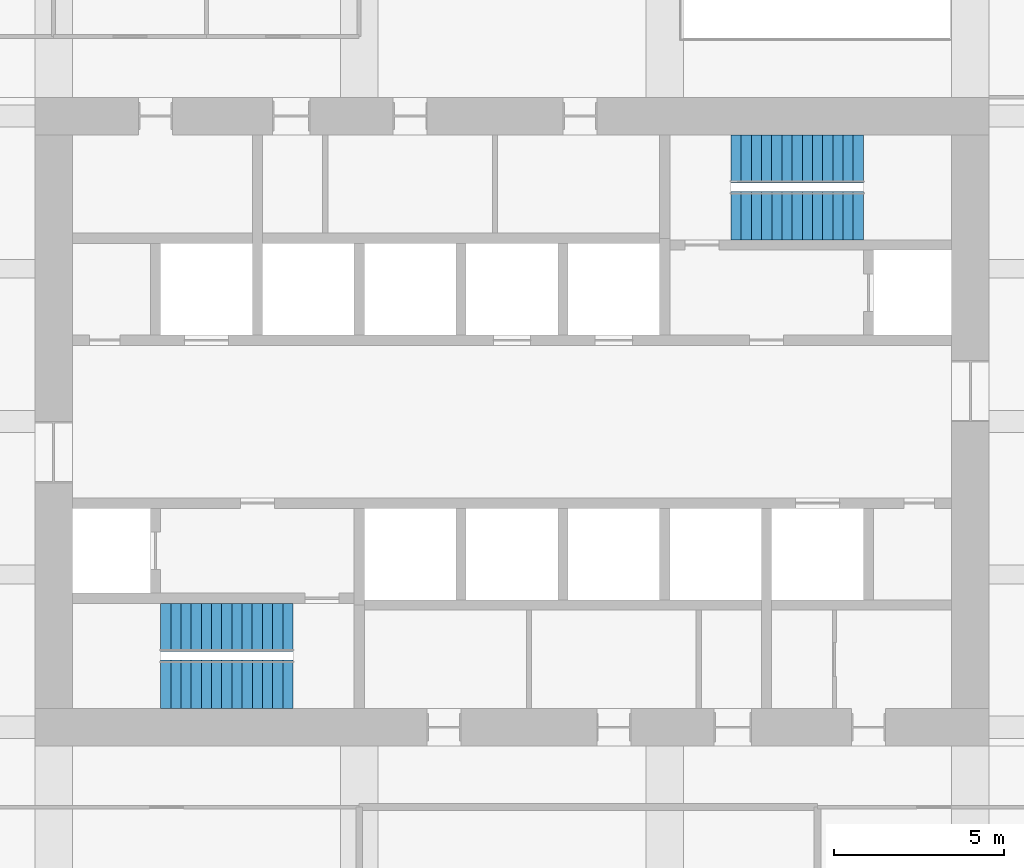
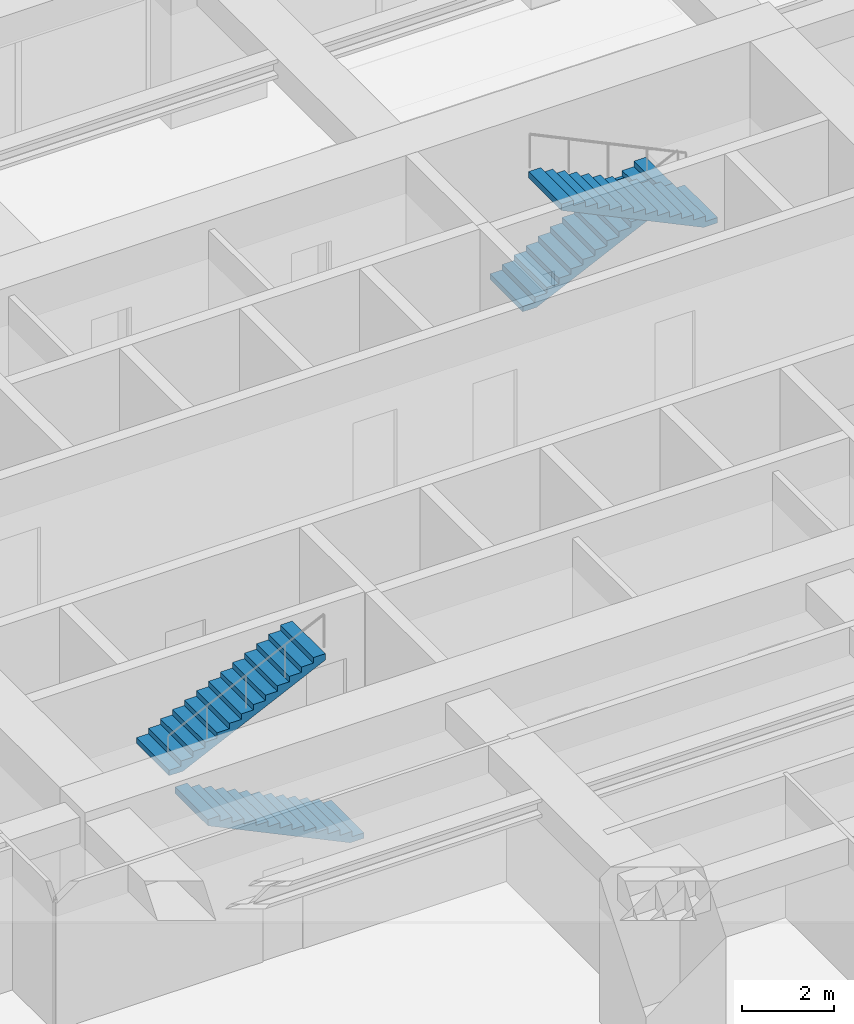
# One storey, part 39 of 41: 4 stair flights, 2 elements without a shape of their own.
"""IFC4 building model written with IfcOpenShell, lengths in metres."""

from ifc_helpers import new_model, si_unit, direction, frame, origin, place, context, subcontext, project, spatial, polyline, outline, extrude, material, type_object, element, aggregate, save


model = new_model("IFC4")

# Units and contexts
model_context = context("Model", 3, precision=1e-05, world=origin(), true_north=direction((0.0, 1.0)))
body_context = subcontext(model_context, "Body", "Model", "MODEL_VIEW")
ifc_project = project(units=[si_unit("LENGTHUNIT", "METRE"), si_unit("AREAUNIT", "SQUARE_METRE"), si_unit("VOLUMEUNIT", "CUBIC_METRE"), si_unit("PLANEANGLEUNIT", "RADIAN"), si_unit("MASSUNIT", "GRAM", prefix="KILO")], contexts=[model_context])

# Site, building, storey
site_placement = place(None, origin())
site = spatial("IfcSite", under=ifc_project, at=site_placement, CompositionType="ELEMENT")
building_placement = place(site_placement, origin())
building = spatial("IfcBuilding", under=site, at=building_placement, Name="Zorevar Civic Tower", CompositionType="ELEMENT")
storey_placement = place(building_placement, frame((0.0, 0.0, 101.0)))
storey = spatial("IfcBuildingStorey", under=building, at=storey_placement, Name="L24", CompositionType="ELEMENT", Elevation=101.0)

# Stair, stair flights
ifc_material_1 = material(Name="Precast concrete C40/50", Category="concrete")
stair_type = type_object("IfcStairType", Name="Stair ST 28R", PredefinedType="HALF_TURN_STAIR", material=ifc_material_1)
stair_1_placement = place(storey_placement, origin())
stair_1 = element("IfcStair", 1, at=stair_1_placement, inside=storey, type_object=stair_type, Name="Stair ST1 L24", PredefinedType="HALF_TURN_STAIR")
ifc_material_2 = material(Name="Precast concrete C40/50", Category="concrete")
stair_flight_type = type_object("IfcStairFlightType", Name="Stair flight", PredefinedType="STRAIGHT", material=ifc_material_2)
stair_flight_1_placement = place(storey_placement, frame((25.050048828125, 19.262451171875, 0.0), z_axis=(0.0, 0.0, 1.0), x_axis=(-1.0, 0.0, 0.0)))
stair_flight_1 = element("IfcStairFlight", 2, at=stair_flight_1_placement, type_object=stair_flight_type, Name="ST1 flight 1", NumberOfRisers=14, NumberOfTreads=13, PredefinedType="STRAIGHT", RiserHeight=0.142857143, TreadLength=0.3, context=body_context, shape_type="SweptSolid", body=[
    extrude(outline(polyline([(0.0, 0.0), (0.0, 0.142822265625), (0.300048828125, 0.142822265625), (0.300048828125, 0.28564453125), (0.60009765625, 0.28564453125), (0.60009765625, 0.428466796875), (0.89990234375, 0.428466796875), (0.89990234375, 0.571533203125), (1.199951171875, 0.571533203125), (1.199951171875, 0.71435546875), (1.5, 0.71435546875), (1.5, 0.857177734375), (1.800048828125, 0.857177734375), (1.800048828125, 1.0), (2.10009765625, 1.0), (2.10009765625, 1.142822265625), (2.39990234375, 1.142822265625), (2.39990234375, 1.28564453125), (2.699951171875, 1.28564453125), (2.699951171875, 1.428466796875), (3.0, 1.428466796875), (3.0, 1.571533203125), (3.300048828125, 1.571533203125), (3.300048828125, 1.71435546875), (3.60009765625, 1.71435546875), (3.60009765625, 1.857177734375), (3.89990234375, 1.857177734375), (3.89990234375, 2.0), (3.89990234375, 1.691162109375), (0.3486328125, 0.0), (0.0, 0.0)])), frame((0.0, 0.71240234375, 0.0), z_axis=(0.0, -1.0, 0.0), x_axis=(1.0, 0.0, 0.0)), (0.0, 0.0, 1.0), 1.425048828125),
])
stair_flight_2_placement = place(storey_placement, frame((21.14990234375, 20.9375, 2.0), z_axis=(0.0, 0.0, 1.0), x_axis=(1.0, 0.0, 0.0)))
stair_flight_2 = element("IfcStairFlight", 3, at=stair_flight_2_placement, type_object=stair_flight_type, Name="ST1 flight 2", NumberOfRisers=14, NumberOfTreads=13, PredefinedType="STRAIGHT", RiserHeight=0.142857143, TreadLength=0.3, context=body_context, shape_type="SweptSolid", body=[
    extrude(outline(polyline([(0.0, 0.0), (0.0, 0.142822265625), (0.300048828125, 0.142822265625), (0.300048828125, 0.28564453125), (0.60009765625, 0.28564453125), (0.60009765625, 0.428466796875), (0.89990234375, 0.428466796875), (0.89990234375, 0.571533203125), (1.199951171875, 0.571533203125), (1.199951171875, 0.71435546875), (1.5, 0.71435546875), (1.5, 0.857177734375), (1.800048828125, 0.857177734375), (1.800048828125, 1.0), (2.10009765625, 1.0), (2.10009765625, 1.142822265625), (2.39990234375, 1.142822265625), (2.39990234375, 1.28564453125), (2.699951171875, 1.28564453125), (2.699951171875, 1.428466796875), (3.0, 1.428466796875), (3.0, 1.571533203125), (3.300048828125, 1.571533203125), (3.300048828125, 1.71435546875), (3.60009765625, 1.71435546875), (3.60009765625, 1.857177734375), (3.89990234375, 1.857177734375), (3.89990234375, 2.0), (3.89990234375, 1.691162109375), (0.3486328125, 0.0), (0.0, 0.0)])), frame((0.0, 0.71240234375, 0.0), z_axis=(0.0, -1.0, 0.0), x_axis=(1.0, 0.0, 0.0)), (0.0, 0.0, 1.0), 1.425048828125),
])
aggregate(stair_1, [stair_flight_1, stair_flight_2])

stair_2_placement = place(storey_placement, origin())
stair_2 = element("IfcStair", 4, at=stair_2_placement, inside=storey, type_object=stair_type, Name="Stair ST2 L24", PredefinedType="HALF_TURN_STAIR")
stair_flight_3_placement = place(storey_placement, frame((37.949951171875, 34.737548828125, 0.0), z_axis=(0.0, 0.0, 1.0), x_axis=(1.0, 0.0, 0.0)))
stair_flight_3 = element("IfcStairFlight", 5, at=stair_flight_3_placement, type_object=stair_flight_type, Name="ST2 flight 1", NumberOfRisers=14, NumberOfTreads=13, PredefinedType="STRAIGHT", RiserHeight=0.142857143, TreadLength=0.3, context=body_context, shape_type="SweptSolid", body=[
    extrude(outline(polyline([(0.0, 0.0), (0.0, 0.142822265625), (0.300048828125, 0.142822265625), (0.300048828125, 0.28564453125), (0.60009765625, 0.28564453125), (0.60009765625, 0.428466796875), (0.89990234375, 0.428466796875), (0.89990234375, 0.571533203125), (1.199951171875, 0.571533203125), (1.199951171875, 0.71435546875), (1.5, 0.71435546875), (1.5, 0.857177734375), (1.800048828125, 0.857177734375), (1.800048828125, 1.0), (2.10009765625, 1.0), (2.10009765625, 1.142822265625), (2.39990234375, 1.142822265625), (2.39990234375, 1.28564453125), (2.699951171875, 1.28564453125), (2.699951171875, 1.428466796875), (3.0, 1.428466796875), (3.0, 1.571533203125), (3.300048828125, 1.571533203125), (3.300048828125, 1.71435546875), (3.60009765625, 1.71435546875), (3.60009765625, 1.857177734375), (3.89990234375, 1.857177734375), (3.89990234375, 2.0), (3.89990234375, 1.691162109375), (0.3486328125, 0.0), (0.0, 0.0)])), frame((0.0, 0.71240234375, 0.0), z_axis=(0.0, -1.0, 0.0), x_axis=(1.0, 0.0, 0.0)), (0.0, 0.0, 1.0), 1.425048828125),
])
stair_flight_4_placement = place(storey_placement, frame((41.85009765625, 33.0625, 2.0), z_axis=(0.0, 0.0, 1.0), x_axis=(-1.0, 0.0, 0.0)))
stair_flight_4 = element("IfcStairFlight", 6, at=stair_flight_4_placement, type_object=stair_flight_type, Name="ST2 flight 2", NumberOfRisers=14, NumberOfTreads=13, PredefinedType="STRAIGHT", RiserHeight=0.142857143, TreadLength=0.3, context=body_context, shape_type="SweptSolid", body=[
    extrude(outline(polyline([(0.0, 0.0), (0.0, 0.142822265625), (0.300048828125, 0.142822265625), (0.300048828125, 0.28564453125), (0.60009765625, 0.28564453125), (0.60009765625, 0.428466796875), (0.89990234375, 0.428466796875), (0.89990234375, 0.571533203125), (1.199951171875, 0.571533203125), (1.199951171875, 0.71435546875), (1.5, 0.71435546875), (1.5, 0.857177734375), (1.800048828125, 0.857177734375), (1.800048828125, 1.0), (2.10009765625, 1.0), (2.10009765625, 1.142822265625), (2.39990234375, 1.142822265625), (2.39990234375, 1.28564453125), (2.699951171875, 1.28564453125), (2.699951171875, 1.428466796875), (3.0, 1.428466796875), (3.0, 1.571533203125), (3.300048828125, 1.571533203125), (3.300048828125, 1.71435546875), (3.60009765625, 1.71435546875), (3.60009765625, 1.857177734375), (3.89990234375, 1.857177734375), (3.89990234375, 2.0), (3.89990234375, 1.691162109375), (0.3486328125, 0.0), (0.0, 0.0)])), frame((0.0, 0.71240234375, 0.0), z_axis=(0.0, -1.0, 0.0), x_axis=(1.0, 0.0, 0.0)), (0.0, 0.0, 1.0), 1.425048828125),
])
aggregate(stair_2, [stair_flight_3, stair_flight_4])

save(model, "model.ifc")
